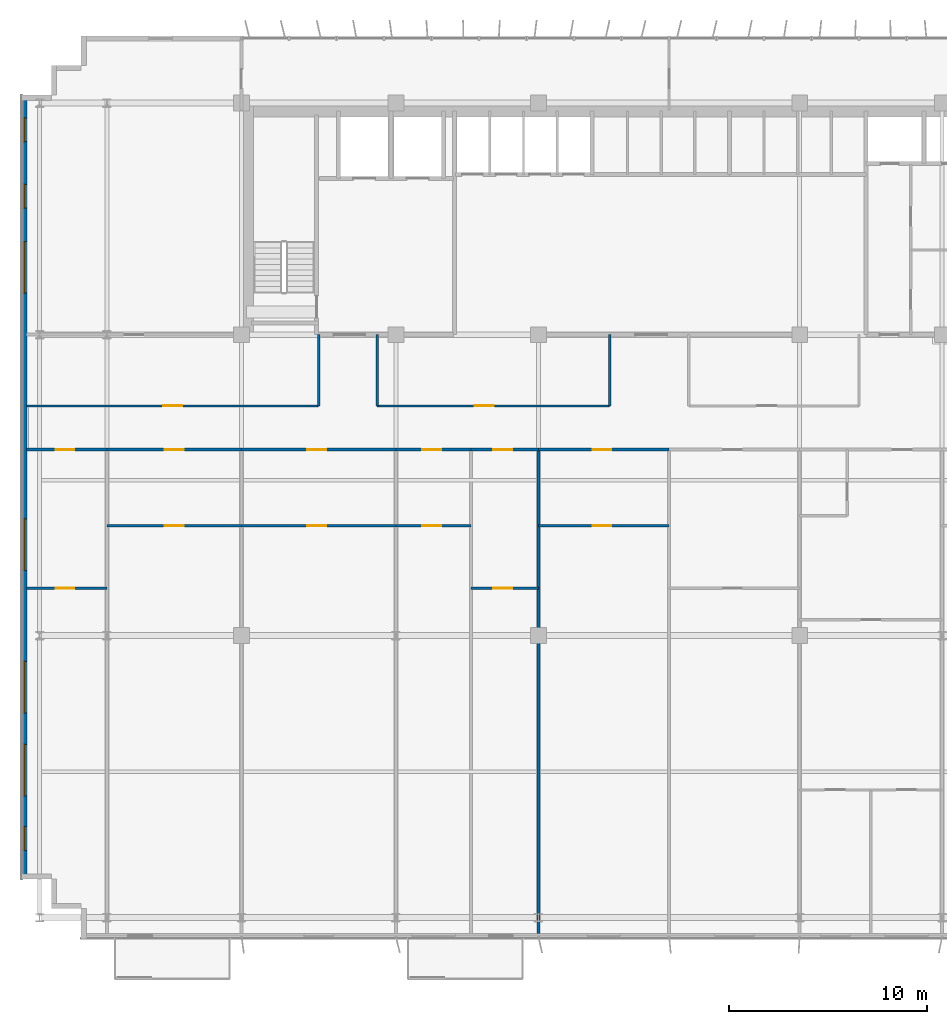
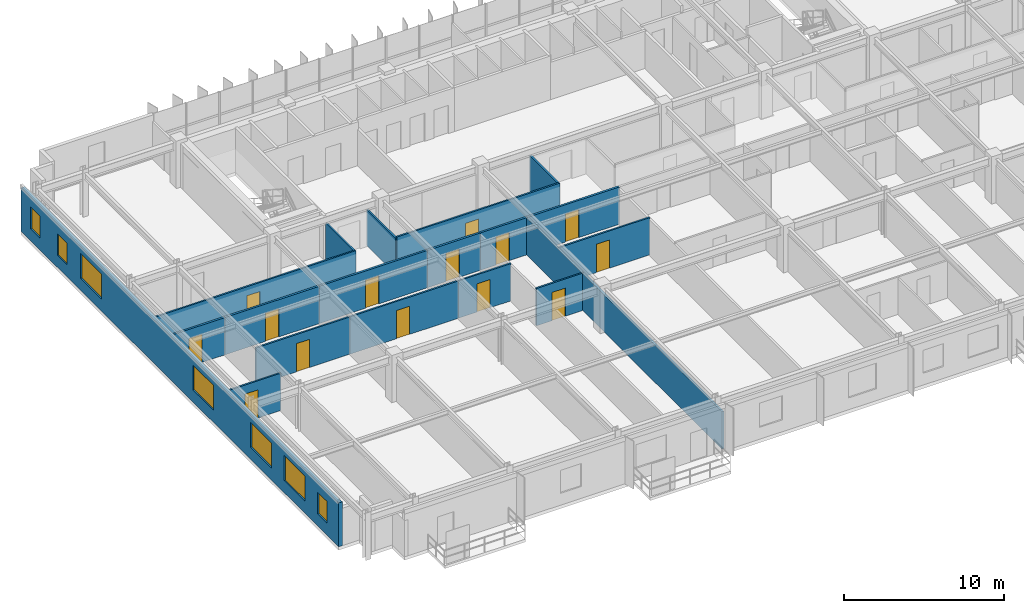
# One storey, part 14 of 21: 19 walls, 14 doors, 7 windows, 21 openings.
"""IFC4 building model written with IfcOpenShell, lengths in metres."""

from ifc_helpers import new_model, si_unit, direction, frame, frame_2d, origin, place, context, subcontext, project, spatial, rectangle, extrude, source, transform, mapped, material, layer, layer_set, type_object, element, fill, save


model = new_model("IFC4")

# Units and contexts
model_context = context("Model", 3, precision=1e-05, world=origin(), true_north=direction((0.0, 1.0)))
body_context = subcontext(model_context, "Body", "Model", "MODEL_VIEW")
ifc_project = project(units=[si_unit("LENGTHUNIT", "METRE"), si_unit("AREAUNIT", "SQUARE_METRE"), si_unit("VOLUMEUNIT", "CUBIC_METRE"), si_unit("PLANEANGLEUNIT", "RADIAN"), si_unit("MASSUNIT", "GRAM", prefix="KILO")], contexts=[model_context])

# Site, building, storey
site_placement = place(None, origin())
site = spatial("IfcSite", under=ifc_project, at=site_placement, CompositionType="ELEMENT")
building_placement = place(site_placement, origin())
building = spatial("IfcBuilding", under=site, at=building_placement, Name="Trelvane Seafront Commons", CompositionType="ELEMENT")
storey_placement = place(building_placement, frame((0.0, 0.0, 103.300048828125)))
storey = spatial("IfcBuildingStorey", under=building, at=storey_placement, Name="L26", CompositionType="ELEMENT", Elevation=103.300048828125)

# Wall, openings, windows
ifc_material_1 = material(Name="Precast concrete C40/50", Category="concrete")
ifc_layer_1 = layer(ifc_material_1, 0.260009765625, Name="ARCH-WALL-EXT260")
ifc_layer_set_1 = layer_set([ifc_layer_1], Name="Precast concrete C40/50")
wall_type_1 = type_object("IfcWallType", Name="ARCH-WALL-EXT260", PredefinedType="SOLIDWALL", material=ifc_layer_set_1)
wall_1_placement = place(storey_placement, frame((4.6298828125, 5.89990234375, 0.0), z_axis=(0.0, 0.0, 1.0), x_axis=(0.0, 1.0, 0.0)))
wall_1 = element("IfcWall", 1, at=wall_1_placement, inside=storey, type_object=wall_type_1, Name="EW-L26-00480", PredefinedType="SOLIDWALL", context=body_context, shape_type="SweptSolid", body=[
    extrude(rectangle(XDim=39.60009765625, YDim=0.260009765625, at=frame_2d((19.800048828125, 0.0))), origin(), (0.0, 0.0, 1.0), 3.33984375),
])
opening_1_placement = place(wall_1_placement, frame((1.449951171875, 0.0, 0.919921875)))
opening_1 = element("IfcOpeningElement", 2, at=opening_1_placement, cuts=wall_1, Name="Opening W05", PredefinedType="OPENING", context=body_context, shape_type="SweptSolid", body=[
    extrude(rectangle(XDim=1.199951171875, YDim=1.64990234375, at=frame_2d((0.60009765625, 0.824951171875))), frame((0.0, 0.139892578125, 0.0), z_axis=(0.0, -1.0, 0.0), x_axis=(1.0, 0.0, 0.0)), (0.0, 0.0, 1.0), 0.280029296875),
])
opening_2_placement = place(wall_1_placement, frame((4.199951171875, 0.0, 0.919921875)))
opening_2 = element("IfcOpeningElement", 3, at=opening_2_placement, cuts=wall_1, Name="Opening W04", PredefinedType="OPENING", context=body_context, shape_type="SweptSolid", body=[
    extrude(rectangle(XDim=2.60009765625, YDim=1.89990234375, at=frame_2d((1.300048828125, 0.949951171875))), frame((0.0, 0.139892578125, 0.0), z_axis=(0.0, -1.0, 0.0), x_axis=(1.0, 0.0, 0.0)), (0.0, 0.0, 1.0), 0.280029296875),
])
opening_3_placement = place(wall_1_placement, frame((8.39990234375, 0.0, 0.919921875)))
opening_3 = element("IfcOpeningElement", 4, at=opening_3_placement, cuts=wall_1, Name="Opening W04", PredefinedType="OPENING", context=body_context, shape_type="SweptSolid", body=[
    extrude(rectangle(XDim=2.60009765625, YDim=1.89990234375, at=frame_2d((1.300048828125, 0.949951171875))), frame((0.0, 0.139892578125, 0.0), z_axis=(0.0, -1.0, 0.0), x_axis=(1.0, 0.0, 0.0)), (0.0, 0.0, 1.0), 0.280029296875),
])
opening_4_placement = place(wall_1_placement, frame((15.60009765625, 0.0, 0.919921875)))
opening_4 = element("IfcOpeningElement", 5, at=opening_4_placement, cuts=wall_1, Name="Opening W04", PredefinedType="OPENING", context=body_context, shape_type="SweptSolid", body=[
    extrude(rectangle(XDim=2.60009765625, YDim=1.89990234375, at=frame_2d((1.300048828125, 0.949951171875))), frame((0.0, 0.139892578125, 0.0), z_axis=(0.0, -1.0, 0.0), x_axis=(1.0, 0.0, 0.0)), (0.0, 0.0, 1.0), 0.280029296875),
])
opening_5_placement = place(wall_1_placement, frame((29.60009765625, 0.0, 0.919921875)))
opening_5 = element("IfcOpeningElement", 6, at=opening_5_placement, cuts=wall_1, Name="Opening W04", PredefinedType="OPENING", context=body_context, shape_type="SweptSolid", body=[
    extrude(rectangle(XDim=2.60009765625, YDim=1.89990234375, at=frame_2d((1.300048828125, 0.949951171875))), frame((0.0, 0.139892578125, 0.0), z_axis=(0.0, -1.0, 0.0), x_axis=(1.0, 0.0, 0.0)), (0.0, 0.0, 1.0), 0.280029296875),
])
opening_6_placement = place(wall_1_placement, frame((33.89990234375, 0.0, 0.919921875)))
opening_6 = element("IfcOpeningElement", 7, at=opening_6_placement, cuts=wall_1, Name="Opening W05", PredefinedType="OPENING", context=body_context, shape_type="SweptSolid", body=[
    extrude(rectangle(XDim=1.199951171875, YDim=1.64990234375, at=frame_2d((0.60009765625, 0.824951171875))), frame((0.0, 0.139892578125, 0.0), z_axis=(0.0, -1.0, 0.0), x_axis=(1.0, 0.0, 0.0)), (0.0, 0.0, 1.0), 0.280029296875),
])
opening_7_placement = place(wall_1_placement, frame((37.25, 0.0, 0.919921875)))
opening_7 = element("IfcOpeningElement", 8, at=opening_7_placement, cuts=wall_1, Name="Opening W05", PredefinedType="OPENING", context=body_context, shape_type="SweptSolid", body=[
    extrude(rectangle(XDim=1.199951171875, YDim=1.64990234375, at=frame_2d((0.60009765625, 0.824951171875))), frame((0.0, 0.139892578125, 0.0), z_axis=(0.0, -1.0, 0.0), x_axis=(1.0, 0.0, 0.0)), (0.0, 0.0, 1.0), 0.280029296875),
])
ifc_material_2 = material(Name="Low-E coastal double glazing", Category="glass")
window_type_1 = type_object("IfcWindowType", Name="ARCH-WIN-W04", PartitioningType="SINGLE_PANEL", PredefinedType="WINDOW", material=ifc_material_2)
shared_shape_1 = source(origin(), body_context, "Body", "SweptSolid", [
    extrude(rectangle(XDim=2.60009765625, YDim=1.89990234375, at=frame_2d((1.300048828125, 0.949951171875))), frame((0.0, 0.030029296875, 0.0), z_axis=(0.0, -1.0, 0.0), x_axis=(1.0, 0.0, 0.0)), (0.0, 0.0, 1.0), 0.06005859375),
])
window_1_placement = place(opening_2_placement, origin())
window_1 = element("IfcWindow", 9, at=window_1_placement, inside=storey, type_object=window_type_1, Name="WIN-L26-EW-00563", OverallHeight=1.89990234375, OverallWidth=2.60009765625, PartitioningType="SINGLE_PANEL", PredefinedType="WINDOW", context=body_context, shape_type="MappedRepresentation", body=[
    mapped(shared_shape_1, transform((0.0, 0.0, 0.0), x_axis=(1.0, 0.0, 0.0), y_axis=(0.0, 1.0, 0.0), z_axis=(0.0, 0.0, 1.0), scale=1.0)),
])
fill(opening_2, window_1)
window_2_placement = place(opening_3_placement, origin())
window_2 = element("IfcWindow", 10, at=window_2_placement, inside=storey, type_object=window_type_1, Name="WIN-L26-EW-00564", OverallHeight=1.89990234375, OverallWidth=2.60009765625, PartitioningType="SINGLE_PANEL", PredefinedType="WINDOW", context=body_context, shape_type="MappedRepresentation", body=[
    mapped(shared_shape_1, transform((0.0, 0.0, 0.0), x_axis=(1.0, 0.0, 0.0), y_axis=(0.0, 1.0, 0.0), z_axis=(0.0, 0.0, 1.0), scale=1.0)),
])
fill(opening_3, window_2)
window_3_placement = place(opening_4_placement, origin())
window_3 = element("IfcWindow", 11, at=window_3_placement, inside=storey, type_object=window_type_1, Name="WIN-L26-EW-00565", OverallHeight=1.89990234375, OverallWidth=2.60009765625, PartitioningType="SINGLE_PANEL", PredefinedType="WINDOW", context=body_context, shape_type="MappedRepresentation", body=[
    mapped(shared_shape_1, transform((0.0, 0.0, 0.0), x_axis=(1.0, 0.0, 0.0), y_axis=(0.0, 1.0, 0.0), z_axis=(0.0, 0.0, 1.0), scale=1.0)),
])
fill(opening_4, window_3)
window_4_placement = place(opening_5_placement, origin())
window_4 = element("IfcWindow", 12, at=window_4_placement, inside=storey, type_object=window_type_1, Name="WIN-L26-EW-00566", OverallHeight=1.89990234375, OverallWidth=2.60009765625, PartitioningType="SINGLE_PANEL", PredefinedType="WINDOW", context=body_context, shape_type="MappedRepresentation", body=[
    mapped(shared_shape_1, transform((0.0, 0.0, 0.0), x_axis=(1.0, 0.0, 0.0), y_axis=(0.0, 1.0, 0.0), z_axis=(0.0, 0.0, 1.0), scale=1.0)),
])
fill(opening_5, window_4)
window_type_2 = type_object("IfcWindowType", Name="ARCH-WIN-W05", PartitioningType="SINGLE_PANEL", PredefinedType="WINDOW", material=ifc_material_2)
shared_shape_2 = source(origin(), body_context, "Body", "SweptSolid", [
    extrude(rectangle(XDim=1.199951171875, YDim=1.64990234375, at=frame_2d((0.60009765625, 0.824951171875))), frame((0.0, 0.030029296875, 0.0), z_axis=(0.0, -1.0, 0.0), x_axis=(1.0, 0.0, 0.0)), (0.0, 0.0, 1.0), 0.06005859375),
])
window_5_placement = place(opening_1_placement, origin())
window_5 = element("IfcWindow", 13, at=window_5_placement, inside=storey, type_object=window_type_2, Name="WIN-L26-EW-00562", OverallHeight=1.64990234375, OverallWidth=1.199951171875, PartitioningType="SINGLE_PANEL", PredefinedType="WINDOW", context=body_context, shape_type="MappedRepresentation", body=[
    mapped(shared_shape_2, transform((0.0, 0.0, 0.0), x_axis=(1.0, 0.0, 0.0), y_axis=(0.0, 1.0, 0.0), z_axis=(0.0, 0.0, 1.0), scale=1.0)),
])
fill(opening_1, window_5)
window_6_placement = place(opening_6_placement, origin())
window_6 = element("IfcWindow", 14, at=window_6_placement, inside=storey, type_object=window_type_2, Name="WIN-L26-EW-00567", OverallHeight=1.64990234375, OverallWidth=1.199951171875, PartitioningType="SINGLE_PANEL", PredefinedType="WINDOW", context=body_context, shape_type="MappedRepresentation", body=[
    mapped(shared_shape_2, transform((0.0, 0.0, 0.0), x_axis=(1.0, 0.0, 0.0), y_axis=(0.0, 1.0, 0.0), z_axis=(0.0, 0.0, 1.0), scale=1.0)),
])
fill(opening_6, window_6)
window_7_placement = place(opening_7_placement, origin())
window_7 = element("IfcWindow", 15, at=window_7_placement, inside=storey, type_object=window_type_2, Name="WIN-L26-EW-00568", OverallHeight=1.64990234375, OverallWidth=1.199951171875, PartitioningType="SINGLE_PANEL", PredefinedType="WINDOW", context=body_context, shape_type="MappedRepresentation", body=[
    mapped(shared_shape_2, transform((0.0, 0.0, 0.0), x_axis=(1.0, 0.0, 0.0), y_axis=(0.0, 1.0, 0.0), z_axis=(0.0, 0.0, 1.0), scale=1.0)),
])
fill(opening_7, window_7)

# Wall, opening, door
ifc_material_3 = material(Name="Gypsum Drywall Acoustic Partition")
ifc_layer_2 = layer(ifc_material_3, 0.1201171875, Name="ARCH-WALL-PART120")
ifc_layer_set_2 = layer_set([ifc_layer_2], Name="Gypsum Drywall Acoustic Partition")
wall_type_2 = type_object("IfcWallType", Name="ARCH-WALL-PART120", PredefinedType="PARTITIONING", material=ifc_layer_set_2)
wall_2_placement = place(storey_placement, frame((4.75, 29.800048828125, 0.0), z_axis=(0.0, 0.0, 1.0), x_axis=(1.0, 0.0, 0.0)))
wall_2 = element("IfcWall", 16, at=wall_2_placement, inside=storey, type_object=wall_type_2, Name="W-L26-CORR-N-W-038", PredefinedType="PARTITIONING", context=body_context, shape_type="SweptSolid", body=[
    extrude(rectangle(XDim=14.75, YDim=0.1201171875, at=frame_2d((7.375, 0.0))), origin(), (0.0, 0.0, 1.0), 2.83984375),
])
opening_8_placement = place(wall_2_placement, frame((6.89990234375, 0.0, 0.0)))
opening_8 = element("IfcOpeningElement", 17, at=opening_8_placement, cuts=wall_2, Name="Opening D-L26-18", PredefinedType="OPENING", context=body_context, shape_type="SweptSolid", body=[
    extrude(rectangle(XDim=0.949951171875, YDim=2.14990234375, at=frame_2d((0.47509765625, 1.074951171875))), frame((0.0, 0.070068359375, 0.0), z_axis=(0.0, -1.0, 0.0), x_axis=(1.0, 0.0, 0.0)), (0.0, 0.0, 1.0), 0.14013671875),
])
ifc_material_4 = material(Name="Acoustic timber door leaf", Category="wood")
door_type_1 = type_object("IfcDoorType", Name="ARCH-DR-INT950", OperationType="NOTDEFINED", PredefinedType="DOOR", material=ifc_material_4)
shared_shape_3 = source(origin(), body_context, "Body", "SweptSolid", [
    extrude(rectangle(XDim=0.949951171875, YDim=2.14990234375, at=frame_2d((0.47509765625, 1.074951171875))), frame((0.0, 0.02490234375, 0.0), z_axis=(0.0, -1.0, 0.0), x_axis=(1.0, 0.0, 0.0)), (0.0, 0.0, 1.0), 0.050048828125),
])
door_1_placement = place(opening_8_placement, origin())
door_1 = element("IfcDoor", 18, at=door_1_placement, inside=storey, type_object=door_type_1, Name="L26 Door 18", OperationType="SINGLE_SWING_RIGHT", OverallHeight=2.14990234375, OverallWidth=0.949951171875, PredefinedType="DOOR", context=body_context, shape_type="MappedRepresentation", body=[
    mapped(shared_shape_3, transform((0.0, 0.0, 0.0), x_axis=(1.0, 0.0, 0.0), y_axis=(0.0, 1.0, 0.0), z_axis=(0.0, 0.0, 1.0), scale=1.0)),
])
fill(opening_8, door_1)

wall_3_placement = place(storey_placement, frame((22.449951171875, 29.800048828125, 0.0), z_axis=(0.0, 0.0, 1.0), x_axis=(1.0, 0.0, 0.0)))
wall_3 = element("IfcWall", 19, at=wall_3_placement, inside=storey, type_object=wall_type_2, Name="W-L26-CORR-N-M1-039", PredefinedType="PARTITIONING", context=body_context, shape_type="SweptSolid", body=[
    extrude(rectangle(XDim=11.75, YDim=0.1201171875, at=frame_2d((5.875, 0.0))), origin(), (0.0, 0.0, 1.0), 2.83984375),
])
opening_9_placement = place(wall_3_placement, frame((4.944091796875, 0.0, 0.0)))
opening_9 = element("IfcOpeningElement", 20, at=opening_9_placement, cuts=wall_3, Name="Opening D-L26-19", PredefinedType="OPENING", context=body_context, shape_type="SweptSolid", body=[
    extrude(rectangle(XDim=0.949951171875, YDim=2.14990234375, at=frame_2d((0.47509765625, 1.074951171875))), frame((0.0, 0.070068359375, 0.0), z_axis=(0.0, -1.0, 0.0), x_axis=(1.0, 0.0, 0.0)), (0.0, 0.0, 1.0), 0.14013671875),
])
door_2_placement = place(opening_9_placement, origin())
door_2 = element("IfcDoor", 21, at=door_2_placement, inside=storey, type_object=door_type_1, Name="L26 Door 19", OperationType="SINGLE_SWING_LEFT", OverallHeight=2.14990234375, OverallWidth=0.949951171875, PredefinedType="DOOR", context=body_context, shape_type="MappedRepresentation", body=[
    mapped(shared_shape_3, transform((0.0, 0.0, 0.0), x_axis=(1.0, 0.0, 0.0), y_axis=(0.0, 1.0, 0.0), z_axis=(0.0, 0.0, 1.0), scale=1.0)),
])
fill(opening_9, door_2)

# Walls
for number, where, z_axis, x_axis, name in (
    (22, (19.5, 29.800048828125, 0.0), (0.0, 0.0, 1.0), (0.0, 1.0, 0.0), "W-L26-N-SPUR-W1-043"),
    (23, (22.449951171875, 29.800048828125, 0.0), (0.0, 0.0, 1.0), (0.0, 1.0, 0.0), "W-L26-N-SPUR-W2-044"),
    (24, (34.199951171875, 29.800048828125, 0.0), (0.0, 0.0, 1.0), (0.0, 1.0, 0.0), "W-L26-N-SPUR-M1-045"),
):
    element("IfcWall", number, at=place(storey_placement, frame(where, z_axis=z_axis, x_axis=x_axis)), inside=storey, type_object=wall_type_2, Name=name, PredefinedType="PARTITIONING", context=body_context, shape_type="SweptSolid", body=[
        extrude(rectangle(XDim=3.599853515625, YDim=0.1201171875, at=frame_2d((1.7998046875, 0.0))), origin(), (0.0, 0.0, 1.0), 2.751953125),
    ])

# Wall, opening, door
wall_4_placement = place(storey_placement, frame((4.7451171875, 20.60009765625, 0.0), z_axis=(0.0, 0.0, 1.0), x_axis=(1.0, 0.0, 0.0)))
wall_4 = element("IfcWall", 25, at=wall_4_placement, inside=storey, type_object=wall_type_2, Name="W-L26-U1-DIV-066", PredefinedType="PARTITIONING", context=body_context, shape_type="SweptSolid", body=[
    extrude(rectangle(XDim=4.054931640625, YDim=0.1201171875, at=frame_2d((2.02734375, 0.0))), origin(), (0.0, 0.0, 1.0), 2.83984375),
])
opening_10_placement = place(wall_4_placement, frame((1.4619140625, 0.0, 0.0)))
opening_10 = element("IfcOpeningElement", 26, at=opening_10_placement, cuts=wall_4, Name="Opening D-L26-29", PredefinedType="OPENING", context=body_context, shape_type="SweptSolid", body=[
    extrude(rectangle(XDim=0.949951171875, YDim=2.14990234375, at=frame_2d((0.47509765625, 1.074951171875))), frame((0.0, 0.070068359375, 0.0), z_axis=(0.0, -1.0, 0.0), x_axis=(1.0, 0.0, 0.0)), (0.0, 0.0, 1.0), 0.14013671875),
])
door_3_placement = place(opening_10_placement, origin())
door_3 = element("IfcDoor", 27, at=door_3_placement, inside=storey, type_object=door_type_1, Name="L26 Door 29", OperationType="SINGLE_SWING_LEFT", OverallHeight=2.14990234375, OverallWidth=0.949951171875, PredefinedType="DOOR", context=body_context, shape_type="MappedRepresentation", body=[
    mapped(shared_shape_3, transform((0.0, 0.0, 0.0), x_axis=(1.0, 0.0, 0.0), y_axis=(0.0, 1.0, 0.0), z_axis=(0.0, 0.0, 1.0), scale=1.0)),
])
fill(opening_10, door_3)

wall_5_placement = place(storey_placement, frame((8.800048828125, 23.75, 0.0), z_axis=(0.0, 0.0, 1.0), x_axis=(1.0, 0.0, 0.0)))
wall_5 = element("IfcWall", 28, at=wall_5_placement, inside=storey, type_object=wall_type_2, Name="W-L26-U2-DIV-068", PredefinedType="PARTITIONING", context=body_context, shape_type="SweptSolid", body=[
    extrude(rectangle(XDim=6.800048828125, YDim=0.1201171875, at=frame_2d((3.39990234375, 0.0))), origin(), (0.0, 0.0, 1.0), 2.83984375),
])
opening_11_placement = place(wall_5_placement, frame((2.925048828125, 0.0, 0.0)))
opening_11 = element("IfcOpeningElement", 29, at=opening_11_placement, cuts=wall_5, Name="Opening D-L26-31", PredefinedType="OPENING", context=body_context, shape_type="SweptSolid", body=[
    extrude(rectangle(XDim=0.949951171875, YDim=2.14990234375, at=frame_2d((0.47509765625, 1.074951171875))), frame((0.0, 0.070068359375, 0.0), z_axis=(0.0, -1.0, 0.0), x_axis=(1.0, 0.0, 0.0)), (0.0, 0.0, 1.0), 0.14013671875),
])
door_4_placement = place(opening_11_placement, origin())
door_4 = element("IfcDoor", 30, at=door_4_placement, inside=storey, type_object=door_type_1, Name="L26 Door 31", OperationType="SINGLE_SWING_LEFT", OverallHeight=2.14990234375, OverallWidth=0.949951171875, PredefinedType="DOOR", context=body_context, shape_type="MappedRepresentation", body=[
    mapped(shared_shape_3, transform((0.0, 0.0, 0.0), x_axis=(1.0, 0.0, 0.0), y_axis=(0.0, 1.0, 0.0), z_axis=(0.0, 0.0, 1.0), scale=1.0)),
])
fill(opening_11, door_4)

wall_6_placement = place(storey_placement, frame((15.60009765625, 23.75, 0.0), z_axis=(0.0, 0.0, 1.0), x_axis=(1.0, 0.0, 0.0)))
wall_6 = element("IfcWall", 31, at=wall_6_placement, inside=storey, type_object=wall_type_2, Name="W-L26-U3-DIV-070", PredefinedType="PARTITIONING", context=body_context, shape_type="SweptSolid", body=[
    extrude(rectangle(XDim=7.7998046875, YDim=0.1201171875, at=frame_2d((3.89990234375, 0.0))), origin(), (0.0, 0.0, 1.0), 2.83984375),
])
opening_12_placement = place(wall_6_placement, frame((3.3330078125, 0.0, 0.0)))
opening_12 = element("IfcOpeningElement", 32, at=opening_12_placement, cuts=wall_6, Name="Opening D-L26-33", PredefinedType="OPENING", context=body_context, shape_type="SweptSolid", body=[
    extrude(rectangle(XDim=0.949951171875, YDim=2.14990234375, at=frame_2d((0.47509765625, 1.074951171875))), frame((0.0, 0.070068359375, 0.0), z_axis=(0.0, -1.0, 0.0), x_axis=(1.0, 0.0, 0.0)), (0.0, 0.0, 1.0), 0.14013671875),
])
door_5_placement = place(opening_12_placement, origin())
door_5 = element("IfcDoor", 33, at=door_5_placement, inside=storey, type_object=door_type_1, Name="L26 Door 33", OperationType="SINGLE_SWING_LEFT", OverallHeight=2.14990234375, OverallWidth=0.949951171875, PredefinedType="DOOR", context=body_context, shape_type="MappedRepresentation", body=[
    mapped(shared_shape_3, transform((0.0, 0.0, 0.0), x_axis=(1.0, 0.0, 0.0), y_axis=(0.0, 1.0, 0.0), z_axis=(0.0, 0.0, 1.0), scale=1.0)),
])
fill(opening_12, door_5)

wall_7_placement = place(storey_placement, frame((23.39990234375, 23.75, 0.0), z_axis=(0.0, 0.0, 1.0), x_axis=(1.0, 0.0, 0.0)))
wall_7 = element("IfcWall", 34, at=wall_7_placement, inside=storey, type_object=wall_type_2, Name="W-L26-U4-DIV-072", PredefinedType="PARTITIONING", context=body_context, shape_type="SweptSolid", body=[
    extrude(rectangle(XDim=3.800048828125, YDim=0.1201171875, at=frame_2d((1.89990234375, 0.0))), origin(), (0.0, 0.0, 1.0), 2.83984375),
])
opening_13_placement = place(wall_7_placement, frame((1.330078125, 0.0, 0.0)))
opening_13 = element("IfcOpeningElement", 35, at=opening_13_placement, cuts=wall_7, Name="Opening D-L26-35", PredefinedType="OPENING", context=body_context, shape_type="SweptSolid", body=[
    extrude(rectangle(XDim=0.949951171875, YDim=2.14990234375, at=frame_2d((0.47509765625, 1.074951171875))), frame((0.0, 0.070068359375, 0.0), z_axis=(0.0, -1.0, 0.0), x_axis=(1.0, 0.0, 0.0)), (0.0, 0.0, 1.0), 0.14013671875),
])
door_6_placement = place(opening_13_placement, origin())
door_6 = element("IfcDoor", 36, at=door_6_placement, inside=storey, type_object=door_type_1, Name="L26 Door 35", OperationType="SINGLE_SWING_LEFT", OverallHeight=2.14990234375, OverallWidth=0.949951171875, PredefinedType="DOOR", context=body_context, shape_type="MappedRepresentation", body=[
    mapped(shared_shape_3, transform((0.0, 0.0, 0.0), x_axis=(1.0, 0.0, 0.0), y_axis=(0.0, 1.0, 0.0), z_axis=(0.0, 0.0, 1.0), scale=1.0)),
])
fill(opening_13, door_6)

wall_8_placement = place(storey_placement, frame((27.199951171875, 20.60009765625, 0.0), z_axis=(0.0, 0.0, 1.0), x_axis=(1.0, 0.0, 0.0)))
wall_8 = element("IfcWall", 37, at=wall_8_placement, inside=storey, type_object=wall_type_2, Name="W-L26-U5-DIV-074", PredefinedType="PARTITIONING", context=body_context, shape_type="SweptSolid", body=[
    extrude(rectangle(XDim=3.400146484375, YDim=0.1201171875, at=frame_2d((1.7001953125, 0.0))), origin(), (0.0, 0.0, 1.0), 2.83984375),
])
opening_14_placement = place(wall_8_placement, frame((1.131103515625, 0.0, 0.0)))
opening_14 = element("IfcOpeningElement", 38, at=opening_14_placement, cuts=wall_8, Name="Opening D-L26-37", PredefinedType="OPENING", context=body_context, shape_type="SweptSolid", body=[
    extrude(rectangle(XDim=0.949951171875, YDim=2.14990234375, at=frame_2d((0.47509765625, 1.074951171875))), frame((0.0, 0.070068359375, 0.0), z_axis=(0.0, -1.0, 0.0), x_axis=(1.0, 0.0, 0.0)), (0.0, 0.0, 1.0), 0.14013671875),
])
door_7_placement = place(opening_14_placement, origin())
door_7 = element("IfcDoor", 39, at=door_7_placement, inside=storey, type_object=door_type_1, Name="L26 Door 37", OperationType="SINGLE_SWING_LEFT", OverallHeight=2.14990234375, OverallWidth=0.949951171875, PredefinedType="DOOR", context=body_context, shape_type="MappedRepresentation", body=[
    mapped(shared_shape_3, transform((0.0, 0.0, 0.0), x_axis=(1.0, 0.0, 0.0), y_axis=(0.0, 1.0, 0.0), z_axis=(0.0, 0.0, 1.0), scale=1.0)),
])
fill(opening_14, door_7)

wall_9_placement = place(storey_placement, frame((30.60009765625, 23.75, 0.0), z_axis=(0.0, 0.0, 1.0), x_axis=(1.0, 0.0, 0.0)))
wall_9 = element("IfcWall", 40, at=wall_9_placement, inside=storey, type_object=wall_type_2, Name="W-L26-U6-DIV-076", PredefinedType="PARTITIONING", context=body_context, shape_type="SweptSolid", body=[
    extrude(rectangle(XDim=6.599853515625, YDim=0.1201171875, at=frame_2d((3.2998046875, 0.0))), origin(), (0.0, 0.0, 1.0), 2.83984375),
])
opening_15_placement = place(wall_9_placement, frame((2.73388671875, 0.0, 0.0)))
opening_15 = element("IfcOpeningElement", 41, at=opening_15_placement, cuts=wall_9, Name="Opening D-L26-39", PredefinedType="OPENING", context=body_context, shape_type="SweptSolid", body=[
    extrude(rectangle(XDim=0.949951171875, YDim=2.14990234375, at=frame_2d((0.47509765625, 1.074951171875))), frame((0.0, 0.070068359375, 0.0), z_axis=(0.0, -1.0, 0.0), x_axis=(1.0, 0.0, 0.0)), (0.0, 0.0, 1.0), 0.14013671875),
])
door_8_placement = place(opening_15_placement, origin())
door_8 = element("IfcDoor", 42, at=door_8_placement, inside=storey, type_object=door_type_1, Name="L26 Door 39", OperationType="SINGLE_SWING_LEFT", OverallHeight=2.14990234375, OverallWidth=0.949951171875, PredefinedType="DOOR", context=body_context, shape_type="MappedRepresentation", body=[
    mapped(shared_shape_3, transform((0.0, 0.0, 0.0), x_axis=(1.0, 0.0, 0.0), y_axis=(0.0, 1.0, 0.0), z_axis=(0.0, 0.0, 1.0), scale=1.0)),
])
fill(opening_15, door_8)

# Wall
ifc_layer_3 = layer(ifc_material_3, 0.14990234375, Name="ARCH-WALL-PART150")
ifc_layer_set_3 = layer_set([ifc_layer_3], Name="Gypsum Drywall Acoustic Partition")
wall_type_3 = type_object("IfcWallType", Name="ARCH-WALL-PART150", PredefinedType="PARTITIONING", material=ifc_layer_set_3)
wall_10_placement = place(storey_placement, frame((30.60009765625, 3.14501953125, 0.0), z_axis=(0.0, 0.0, 1.0), x_axis=(0.0, 1.0, 0.0)))
element("IfcWall", 43, at=wall_10_placement, inside=storey, type_object=wall_type_3, Name="W-L26-PW-5-058", PredefinedType="PARTITIONING", context=body_context, shape_type="SweptSolid", body=[
    extrude(rectangle(XDim=24.455078125, YDim=0.14990234375, at=frame_2d((12.2275390625, 0.0))), origin(), (0.0, 0.0, 1.0), 2.83984375),
])

# Wall, opening, door
wall_11_placement = place(storey_placement, frame((4.7451171875, 27.60009765625, 0.0), z_axis=(0.0, 0.0, 1.0), x_axis=(1.0, 0.0, 0.0)))
wall_11 = element("IfcWall", 44, at=wall_11_placement, inside=storey, type_object=wall_type_3, Name="W-L26-CS-BAY-1-065", PredefinedType="PARTITIONING", context=body_context, shape_type="SweptSolid", body=[
    extrude(rectangle(XDim=4.054931640625, YDim=0.14990234375, at=frame_2d((2.02734375, 0.0))), origin(), (0.0, 0.0, 1.0), 2.83984375),
])
opening_16_placement = place(wall_11_placement, frame((1.4619140625, 0.0, 0.0)))
opening_16 = element("IfcOpeningElement", 45, at=opening_16_placement, cuts=wall_11, Name="Opening FD-L26-28", PredefinedType="OPENING", context=body_context, shape_type="SweptSolid", body=[
    extrude(rectangle(XDim=0.949951171875, YDim=2.14990234375, at=frame_2d((0.47509765625, 1.074951171875))), frame((0.0, 0.0849609375, 0.0), z_axis=(0.0, -1.0, 0.0), x_axis=(1.0, 0.0, 0.0)), (0.0, 0.0, 1.0), 0.169921875),
])
ifc_material_5 = material(Name="Powder-coated aluminium frame", Category="aluminium")
door_type_2 = type_object("IfcDoorType", Name="ARCH-DR-FD60-950", OperationType="NOTDEFINED", PredefinedType="DOOR", material=ifc_material_5)
door_9_placement = place(opening_16_placement, origin())
door_9 = element("IfcDoor", 46, at=door_9_placement, inside=storey, type_object=door_type_2, Name="L26 Bay 01 Entrance Door", OperationType="SINGLE_SWING_RIGHT", OverallHeight=2.14990234375, OverallWidth=0.949951171875, PredefinedType="DOOR", context=body_context, shape_type="MappedRepresentation", body=[
    mapped(shared_shape_3, transform((0.0, 0.0, 0.0), x_axis=(1.0, 0.0, 0.0), y_axis=(0.0, 1.0, 0.0), z_axis=(0.0, 0.0, 1.0), scale=1.0)),
])
fill(opening_16, door_9)

wall_12_placement = place(storey_placement, frame((8.800048828125, 27.60009765625, 0.0), z_axis=(0.0, 0.0, 1.0), x_axis=(1.0, 0.0, 0.0)))
wall_12 = element("IfcWall", 47, at=wall_12_placement, inside=storey, type_object=wall_type_3, Name="W-L26-CS-BAY-2-067", PredefinedType="PARTITIONING", context=body_context, shape_type="SweptSolid", body=[
    extrude(rectangle(XDim=6.800048828125, YDim=0.14990234375, at=frame_2d((3.39990234375, 0.0))), origin(), (0.0, 0.0, 1.0), 2.83984375),
])
opening_17_placement = place(wall_12_placement, frame((2.925048828125, 0.0, 0.0)))
opening_17 = element("IfcOpeningElement", 48, at=opening_17_placement, cuts=wall_12, Name="Opening FD-L26-30", PredefinedType="OPENING", context=body_context, shape_type="SweptSolid", body=[
    extrude(rectangle(XDim=0.949951171875, YDim=2.14990234375, at=frame_2d((0.47509765625, 1.074951171875))), frame((0.0, 0.0849609375, 0.0), z_axis=(0.0, -1.0, 0.0), x_axis=(1.0, 0.0, 0.0)), (0.0, 0.0, 1.0), 0.169921875),
])
door_10_placement = place(opening_17_placement, origin())
door_10 = element("IfcDoor", 49, at=door_10_placement, inside=storey, type_object=door_type_2, Name="L26 Bay 02 Entrance Door", OperationType="SINGLE_SWING_RIGHT", OverallHeight=2.14990234375, OverallWidth=0.949951171875, PredefinedType="DOOR", context=body_context, shape_type="MappedRepresentation", body=[
    mapped(shared_shape_3, transform((0.0, 0.0, 0.0), x_axis=(1.0, 0.0, 0.0), y_axis=(0.0, 1.0, 0.0), z_axis=(0.0, 0.0, 1.0), scale=1.0)),
])
fill(opening_17, door_10)

wall_13_placement = place(storey_placement, frame((15.60009765625, 27.60009765625, 0.0), z_axis=(0.0, 0.0, 1.0), x_axis=(1.0, 0.0, 0.0)))
wall_13 = element("IfcWall", 50, at=wall_13_placement, inside=storey, type_object=wall_type_3, Name="W-L26-CS-BAY-3-069", PredefinedType="PARTITIONING", context=body_context, shape_type="SweptSolid", body=[
    extrude(rectangle(XDim=7.7998046875, YDim=0.14990234375, at=frame_2d((3.89990234375, 0.0))), origin(), (0.0, 0.0, 1.0), 2.83984375),
])
opening_18_placement = place(wall_13_placement, frame((3.3330078125, 0.0, 0.0)))
opening_18 = element("IfcOpeningElement", 51, at=opening_18_placement, cuts=wall_13, Name="Opening FD-L26-32", PredefinedType="OPENING", context=body_context, shape_type="SweptSolid", body=[
    extrude(rectangle(XDim=0.949951171875, YDim=2.14990234375, at=frame_2d((0.47509765625, 1.074951171875))), frame((0.0, 0.0849609375, 0.0), z_axis=(0.0, -1.0, 0.0), x_axis=(1.0, 0.0, 0.0)), (0.0, 0.0, 1.0), 0.169921875),
])
door_11_placement = place(opening_18_placement, origin())
door_11 = element("IfcDoor", 52, at=door_11_placement, inside=storey, type_object=door_type_2, Name="L26 Bay 03 Entrance Door", OperationType="SINGLE_SWING_RIGHT", OverallHeight=2.14990234375, OverallWidth=0.949951171875, PredefinedType="DOOR", context=body_context, shape_type="MappedRepresentation", body=[
    mapped(shared_shape_3, transform((0.0, 0.0, 0.0), x_axis=(1.0, 0.0, 0.0), y_axis=(0.0, 1.0, 0.0), z_axis=(0.0, 0.0, 1.0), scale=1.0)),
])
fill(opening_18, door_11)

wall_14_placement = place(storey_placement, frame((23.39990234375, 27.60009765625, 0.0), z_axis=(0.0, 0.0, 1.0), x_axis=(1.0, 0.0, 0.0)))
wall_14 = element("IfcWall", 53, at=wall_14_placement, inside=storey, type_object=wall_type_3, Name="W-L26-CS-BAY-4-071", PredefinedType="PARTITIONING", context=body_context, shape_type="SweptSolid", body=[
    extrude(rectangle(XDim=3.800048828125, YDim=0.14990234375, at=frame_2d((1.89990234375, 0.0))), origin(), (0.0, 0.0, 1.0), 2.83984375),
])
opening_19_placement = place(wall_14_placement, frame((1.330078125, 0.0, 0.0)))
opening_19 = element("IfcOpeningElement", 54, at=opening_19_placement, cuts=wall_14, Name="Opening FD-L26-34", PredefinedType="OPENING", context=body_context, shape_type="SweptSolid", body=[
    extrude(rectangle(XDim=0.949951171875, YDim=2.14990234375, at=frame_2d((0.47509765625, 1.074951171875))), frame((0.0, 0.0849609375, 0.0), z_axis=(0.0, -1.0, 0.0), x_axis=(1.0, 0.0, 0.0)), (0.0, 0.0, 1.0), 0.169921875),
])
door_12_placement = place(opening_19_placement, origin())
door_12 = element("IfcDoor", 55, at=door_12_placement, inside=storey, type_object=door_type_2, Name="L26 Bay 04 Entrance Door", OperationType="SINGLE_SWING_RIGHT", OverallHeight=2.14990234375, OverallWidth=0.949951171875, PredefinedType="DOOR", context=body_context, shape_type="MappedRepresentation", body=[
    mapped(shared_shape_3, transform((0.0, 0.0, 0.0), x_axis=(1.0, 0.0, 0.0), y_axis=(0.0, 1.0, 0.0), z_axis=(0.0, 0.0, 1.0), scale=1.0)),
])
fill(opening_19, door_12)

wall_15_placement = place(storey_placement, frame((27.199951171875, 27.60009765625, 0.0), z_axis=(0.0, 0.0, 1.0), x_axis=(1.0, 0.0, 0.0)))
wall_15 = element("IfcWall", 56, at=wall_15_placement, inside=storey, type_object=wall_type_3, Name="W-L26-CS-BAY-5-073", PredefinedType="PARTITIONING", context=body_context, shape_type="SweptSolid", body=[
    extrude(rectangle(XDim=3.400146484375, YDim=0.14990234375, at=frame_2d((1.7001953125, 0.0))), origin(), (0.0, 0.0, 1.0), 2.83984375),
])
opening_20_placement = place(wall_15_placement, frame((1.131103515625, 0.0, 0.0)))
opening_20 = element("IfcOpeningElement", 57, at=opening_20_placement, cuts=wall_15, Name="Opening FD-L26-36", PredefinedType="OPENING", context=body_context, shape_type="SweptSolid", body=[
    extrude(rectangle(XDim=0.949951171875, YDim=2.14990234375, at=frame_2d((0.47509765625, 1.074951171875))), frame((0.0, 0.0849609375, 0.0), z_axis=(0.0, -1.0, 0.0), x_axis=(1.0, 0.0, 0.0)), (0.0, 0.0, 1.0), 0.169921875),
])
door_13_placement = place(opening_20_placement, origin())
door_13 = element("IfcDoor", 58, at=door_13_placement, inside=storey, type_object=door_type_2, Name="L26 Bay 05 Entrance Door", OperationType="SINGLE_SWING_RIGHT", OverallHeight=2.14990234375, OverallWidth=0.949951171875, PredefinedType="DOOR", context=body_context, shape_type="MappedRepresentation", body=[
    mapped(shared_shape_3, transform((0.0, 0.0, 0.0), x_axis=(1.0, 0.0, 0.0), y_axis=(0.0, 1.0, 0.0), z_axis=(0.0, 0.0, 1.0), scale=1.0)),
])
fill(opening_20, door_13)

wall_16_placement = place(storey_placement, frame((30.60009765625, 27.60009765625, 0.0), z_axis=(0.0, 0.0, 1.0), x_axis=(1.0, 0.0, 0.0)))
wall_16 = element("IfcWall", 59, at=wall_16_placement, inside=storey, type_object=wall_type_3, Name="W-L26-CS-BAY-6-075", PredefinedType="PARTITIONING", context=body_context, shape_type="SweptSolid", body=[
    extrude(rectangle(XDim=6.599853515625, YDim=0.14990234375, at=frame_2d((3.2998046875, 0.0))), origin(), (0.0, 0.0, 1.0), 2.83984375),
])
opening_21_placement = place(wall_16_placement, frame((2.73388671875, 0.0, 0.0)))
opening_21 = element("IfcOpeningElement", 60, at=opening_21_placement, cuts=wall_16, Name="Opening FD-L26-38", PredefinedType="OPENING", context=body_context, shape_type="SweptSolid", body=[
    extrude(rectangle(XDim=0.949951171875, YDim=2.14990234375, at=frame_2d((0.47509765625, 1.074951171875))), frame((0.0, 0.0849609375, 0.0), z_axis=(0.0, -1.0, 0.0), x_axis=(1.0, 0.0, 0.0)), (0.0, 0.0, 1.0), 0.169921875),
])
door_14_placement = place(opening_21_placement, origin())
door_14 = element("IfcDoor", 61, at=door_14_placement, inside=storey, type_object=door_type_2, Name="L26 Bay 06 Entrance Door", OperationType="SINGLE_SWING_RIGHT", OverallHeight=2.14990234375, OverallWidth=0.949951171875, PredefinedType="DOOR", context=body_context, shape_type="MappedRepresentation", body=[
    mapped(shared_shape_3, transform((0.0, 0.0, 0.0), x_axis=(1.0, 0.0, 0.0), y_axis=(0.0, 1.0, 0.0), z_axis=(0.0, 0.0, 1.0), scale=1.0)),
])
fill(opening_21, door_14)

save(model, "model.ifc")
